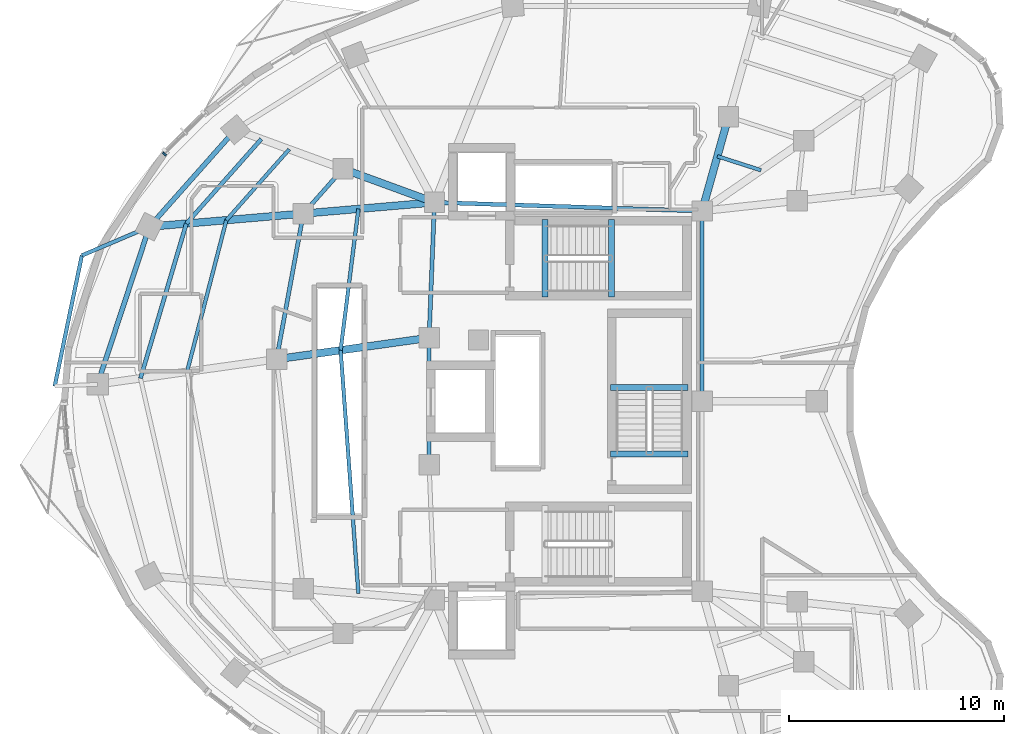
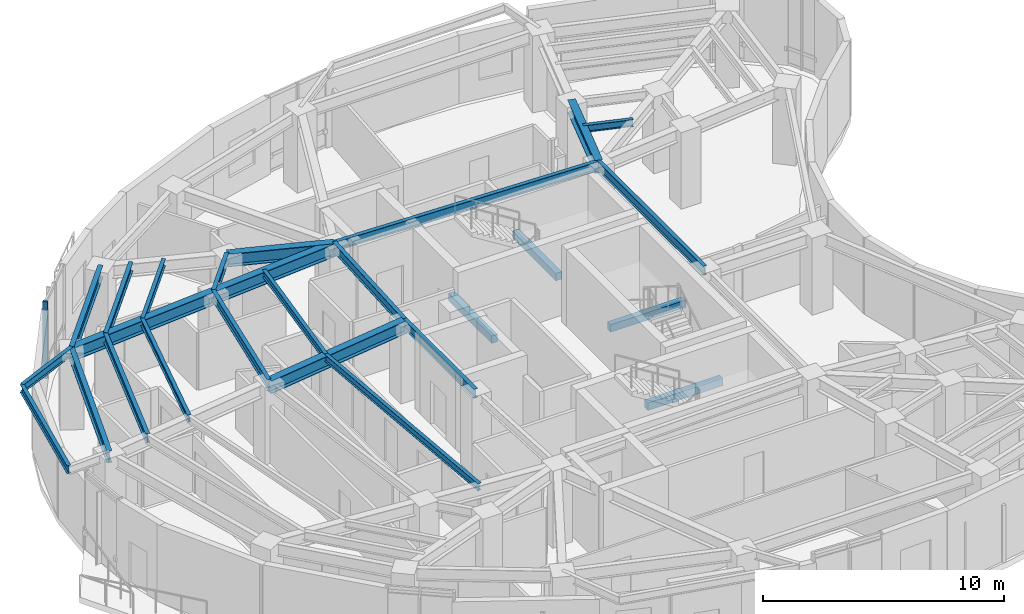
# One storey, part 3 of 13: 26 beams, 1 member, 1 element without a shape of its own.
"""IFC4 building model written with IfcOpenShell, lengths in metres."""

from ifc_helpers import new_model, si_unit, direction, frame, origin, origin_2d, place, context, subcontext, project, spatial, rectangle, i_section, extrude, material, layer, layer_set, material_profile, profile_set, type_object, element, aggregate, save


model = new_model("IFC4")

# Units and contexts
model_context = context("Model", 3, precision=1e-05, world=origin(), true_north=direction((0.0, 1.0)))
body_context = subcontext(model_context, "Body", "Model", "MODEL_VIEW")
ifc_project = project(units=[si_unit("LENGTHUNIT", "METRE"), si_unit("AREAUNIT", "SQUARE_METRE"), si_unit("VOLUMEUNIT", "CUBIC_METRE"), si_unit("PLANEANGLEUNIT", "RADIAN"), si_unit("MASSUNIT", "GRAM", prefix="KILO")], contexts=[model_context])

# Site, building, storey
site_placement = place(None, origin())
site = spatial("IfcSite", under=ifc_project, at=site_placement, CompositionType="ELEMENT")
building_placement = place(site_placement, origin())
building = spatial("IfcBuilding", under=site, at=building_placement, Name="Korentha Bioscience Tower", CompositionType="ELEMENT")
storey_placement = place(building_placement, frame((0.0, 0.0, 192.0)))
storey = spatial("IfcBuildingStorey", under=building, at=storey_placement, Name="L44", CompositionType="ELEMENT", Elevation=192.0)

# Beams
ifc_material_1 = material(Name="Concrete C50", Category="concrete")
ifc_material_profile_1 = material_profile(ifc_material_1, rectangle(XDim=0.280029296875, YDim=0.3798828125, at=origin_2d()), Name="Concrete C50")
ifc_profile_set_1 = profile_set([ifc_material_profile_1], Name="Concrete C50 (ST-HB380)")
beam_type_1 = type_object("IfcBeamType", Name="Concrete Stair Header Beam RC 280x380", PredefinedType="BEAM", material=ifc_profile_set_1)
for number, where, z_axis, x_axis, name in (
    (1, (30.25, 31.85009765625, -0.18994140625), (0.0, 1.0, 0.0), (-1.0, 0.0, 0.0), "L44 ST-1 Concrete Stair Header Beam"),
    (2, (33.330078125, 31.85009765625, 1.909912109375), (0.0, 1.0, 0.0), (-1.0, 0.0, 0.0), "L44 ST-1 Half-Landing Header Beam 1"),
    (3, (36.89990234375, 24.550048828125, -0.18994140625), (-1.0, 0.0, 0.0), (0.0, -1.0, 0.0), "L44 ST-3 Concrete Stair Header Beam"),
    (4, (36.89990234375, 27.6298828125, 1.909912109375), (-1.0, 0.0, 0.0), (0.0, -1.0, 0.0), "L44 ST-3 Half-Landing Header Beam 1"),
):
    element("IfcBeam", number, at=place(storey_placement, frame(where, z_axis=z_axis, x_axis=x_axis)), inside=storey, type_object=beam_type_1, Name=name, PredefinedType="BEAM", context=body_context, shape_type="SweptSolid", body=[
        extrude(rectangle(XDim=0.280029296875, YDim=0.3798828125, at=origin_2d()), origin(), (0.0, 0.0, 1.0), 3.599853515625),
    ])
ifc_material_2 = material(Name="Steel S355", Category="steel")
ifc_material_profile_2 = material_profile(ifc_material_2, i_section(OverallWidth=0.18994140625, OverallDepth=0.45703125, WebThickness=0.009033203125, FlangeThickness=0.014404296875, at=origin_2d()), Name="Steel S355")
ifc_profile_set_2 = profile_set([ifc_material_profile_2], Name="Steel S355 (MB-460)")
beam_type_2 = type_object("IfcBeamType", Name="Mid-Ring Tie Girder W460x74", PredefinedType="BEAM", material=ifc_profile_set_2)
beam_1_placement = place(storey_placement, frame((20.84228515625, 37.807861328125, 3.67138671875), z_axis=(-0.663512238321, -0.748165429299, 0.0), x_axis=(0.748165429299, -0.663512238321, 0.0)))
element("IfcBeam", 5, at=beam_1_placement, inside=storey, type_object=beam_type_2, Name="L44 Mid-Ring Tie Girder 05", PredefinedType="BEAM", context=body_context, shape_type="SweptSolid", body=[
    extrude(i_section(OverallWidth=0.18994140625, OverallDepth=0.45703125, WebThickness=0.009033203125, FlangeThickness=0.014404296875, at=origin_2d()), origin(), (0.0, 0.0, 1.0), 2.77734375),
])
beam_2_placement = place(storey_placement, frame((18.99951171875, 35.72998046875, 3.67138671875), z_axis=(-0.180880998363, -0.98350498953, 0.0), x_axis=(0.98350498953, -0.180880998363, 0.0)))
element("IfcBeam", 6, at=beam_2_placement, inside=storey, type_object=beam_type_2, Name="L44 Mid-Ring Tie Girder 06", PredefinedType="BEAM", context=body_context, shape_type="SweptSolid", body=[
    extrude(i_section(OverallWidth=0.18994140625, OverallDepth=0.45703125, WebThickness=0.009033203125, FlangeThickness=0.014404296875, at=origin_2d()), origin(), (0.0, 0.0, 1.0), 6.888916015625),
])
beam_3_placement = place(storey_placement, frame((37.550048828125, 35.85009765625, 3.67138671875), z_axis=(-0.999484526071, 0.032104238723, 0.0), x_axis=(-0.032104238723, -0.999484526071, 0.0)))
element("IfcBeam", 7, at=beam_3_placement, inside=storey, type_object=beam_type_2, Name="L44 Core Ring Tie Girder 01", PredefinedType="BEAM", context=body_context, shape_type="SweptSolid", body=[
    extrude(i_section(OverallWidth=0.18994140625, OverallDepth=0.45703125, WebThickness=0.009033203125, FlangeThickness=0.014404296875, at=origin_2d()), origin(), (0.0, 0.0, 1.0), 12.456298828125),
])
beam_4_placement = place(storey_placement, frame((25.10009765625, 36.25, 3.67138671875), z_axis=(-0.039651025576, -0.999213588864, 0.0), x_axis=(0.999213588864, -0.039651025576, 0.0)))
element("IfcBeam", 8, at=beam_4_placement, inside=storey, type_object=beam_type_2, Name="L44 Core Ring Tie Girder 02", PredefinedType="BEAM", context=body_context, shape_type="SweptSolid", body=[
    extrude(i_section(OverallWidth=0.18994140625, OverallDepth=0.45703125, WebThickness=0.009033203125, FlangeThickness=0.014404296875, at=origin_2d()), origin(), (0.0, 0.0, 1.0), 6.304931640625),
])
beam_5_placement = place(storey_placement, frame((24.85009765625, 29.949951171875, 3.67138671875), z_axis=(0.0, -1.0, 0.0), x_axis=(1.0, 0.0, 0.0)))
element("IfcBeam", 9, at=beam_5_placement, inside=storey, type_object=beam_type_2, Name="L44 Core Ring Tie Girder 03", PredefinedType="BEAM", context=body_context, shape_type="SweptSolid", body=[
    extrude(i_section(OverallWidth=0.18994140625, OverallDepth=0.45703125, WebThickness=0.009033203125, FlangeThickness=0.014404296875, at=origin_2d()), origin(), (0.0, 0.0, 1.0), 5.89990234375),
])
beam_6_placement = place(storey_placement, frame((37.550048828125, 27.0, 3.67138671875), z_axis=(0.0, 1.0, 0.0), x_axis=(-1.0, 0.0, 0.0)))
element("IfcBeam", 10, at=beam_6_placement, inside=storey, type_object=beam_type_2, Name="L44 Core Ring Tie Girder 07", PredefinedType="BEAM", context=body_context, shape_type="SweptSolid", body=[
    extrude(i_section(OverallWidth=0.18994140625, OverallDepth=0.45703125, WebThickness=0.009033203125, FlangeThickness=0.014404296875, at=origin_2d()), origin(), (0.0, 0.0, 1.0), 8.85009765625),
])

# Curtain wall, member
ifc_material_3 = material(Name="Thermally Broken Aluminium Frame", Category="aluminium")
ifc_layer = layer(ifc_material_3, 0.219970703125, Name="Thermally Broken Aluminium Frame")
ifc_layer_set = layer_set([ifc_layer], Name="Thermally Broken Aluminium Frame (CW-T2)")
curtain_wall_type = type_object("IfcCurtainWallType", Name="Solar-Screened Lab Unitised Curtain Wall CW-T2", PredefinedType="USERDEFINED", material=ifc_layer_set)
curtain_wall_placement = place(storey_placement, origin())
curtain_wall = element("IfcCurtainWall", 11, at=curtain_wall_placement, inside=storey, type_object=curtain_wall_type, Name="L44 Curtain Wall 13", ObjectType="UNITISED", PredefinedType="USERDEFINED")
ifc_material_4 = material(Name="Anodised Aluminium 6063-T6", Category="aluminium")
ifc_material_profile_3 = material_profile(ifc_material_4, rectangle(XDim=0.090087890625, YDim=0.199951171875, at=origin_2d()), Name="Anodised Aluminium 6063-T6")
ifc_profile_set_3 = profile_set([ifc_material_profile_3], Name="Anodised Aluminium 6063-T6 (CW-MUL)")
member_type = type_object("IfcMemberType", Name="Mullion RECT 90x200", PredefinedType="MULLION", material=ifc_profile_set_3)
member_placement = place(storey_placement, frame((12.53515625, 38.502685546875, 0.0), z_axis=(0.0, 0.0, 1.0), x_axis=(-0.711460557971, -0.702726030862, 0.0)))
member = element("IfcMember", 12, at=member_placement, type_object=member_type, Name="CW-L44-13 Mullion 3", PredefinedType="MULLION", context=body_context, shape_type="SweptSolid", body=[
    extrude(rectangle(XDim=0.090087890625, YDim=0.199951171875, at=origin_2d()), origin(), (0.0, 0.0, 1.0), 3.89990234375),
])
aggregate(curtain_wall, [member])

# Beams
ifc_material_profile_4 = material_profile(ifc_material_2, i_section(OverallWidth=0.22802734375, OverallDepth=0.60791015625, WebThickness=0.01123046875, FlangeThickness=0.017333984375, at=origin_2d()), Name="Steel S355")
ifc_profile_set_4 = profile_set([ifc_material_profile_4], Name="Steel S355 (SB-610)")
beam_type_3 = type_object("IfcBeamType", Name="Perimeter Ring Spandrel Girder W610x113", PredefinedType="SPANDREL", material=ifc_profile_set_4)
beam_7_placement = place(storey_placement, frame((15.843994140625, 39.63671875, 3.595947265625), z_axis=(-0.663502544942, -0.748174025782, 0.0), x_axis=(0.748174025782, -0.663502544942, 0.0)))
element("IfcBeam", 13, at=beam_7_placement, inside=storey, type_object=beam_type_3, Name="L44 Perimeter Spandrel Girder 05", PredefinedType="SPANDREL", context=body_context, shape_type="SweptSolid", body=[
    extrude(i_section(OverallWidth=0.22802734375, OverallDepth=0.60791015625, WebThickness=0.01123046875, FlangeThickness=0.017333984375, at=origin_2d()), origin(), (0.0, 0.0, 1.0), 6.037841796875),
])
beam_8_placement = place(storey_placement, frame((11.837890625, 35.119384765625, 3.595947265625), z_axis=(-0.312820215824, -0.949812356506, 0.0), x_axis=(0.949812356506, -0.312820215824, 0.0)))
element("IfcBeam", 14, at=beam_8_placement, inside=storey, type_object=beam_type_3, Name="L44 Perimeter Spandrel Girder 06", PredefinedType="SPANDREL", context=body_context, shape_type="SweptSolid", body=[
    extrude(i_section(OverallWidth=0.22802734375, OverallDepth=0.60791015625, WebThickness=0.01123046875, FlangeThickness=0.017333984375, at=origin_2d()), origin(), (0.0, 0.0, 1.0), 7.720947265625),
])
ifc_material_profile_5 = material_profile(ifc_material_2, i_section(OverallWidth=0.18994140625, OverallDepth=0.45703125, WebThickness=0.009033203125, FlangeThickness=0.014404296875, at=origin_2d()), Name="Steel S355")
ifc_profile_set_5 = profile_set([ifc_material_profile_5], Name="Steel S355 (RB-460)")
beam_type_4 = type_object("IfcBeamType", Name="Radial Laboratory Beam W460x74", PredefinedType="BEAM", material=ifc_profile_set_5)
beam_9_placement = place(storey_placement, frame((17.043701171875, 39.197998046875, 3.67138671875), z_axis=(-0.663495511182, -0.748180263467, 0.0), x_axis=(0.748180263467, -0.663495511182, 0.0)))
element("IfcBeam", 15, at=beam_9_placement, inside=storey, type_object=beam_type_4, Name="L44 Secondary Floor Beam JSTO-05", PredefinedType="BEAM", context=body_context, shape_type="SweptSolid", body=[
    extrude(i_section(OverallWidth=0.18994140625, OverallDepth=0.45703125, WebThickness=0.009033203125, FlangeThickness=0.014404296875, at=origin_2d()), origin(), (0.0, 0.0, 1.0), 5.255615234375),
])
beam_10_placement = place(storey_placement, frame((13.556640625, 35.265869140625, 3.67138671875), z_axis=(-0.284283148615, -0.958740367051, 0.0), x_axis=(0.958740367051, -0.284283148615, 0.0)))
element("IfcBeam", 16, at=beam_10_placement, inside=storey, type_object=beam_type_4, Name="L44 Secondary Floor Beam JSTO-06", PredefinedType="BEAM", context=body_context, shape_type="SweptSolid", body=[
    extrude(i_section(OverallWidth=0.18994140625, OverallDepth=0.45703125, WebThickness=0.009033203125, FlangeThickness=0.014404296875, at=origin_2d()), origin(), (0.0, 0.0, 1.0), 7.50927734375),
])
ifc_material_profile_6 = material_profile(ifc_material_2, i_section(OverallWidth=0.35009765625, OverallDepth=0.64990234375, WebThickness=0.01611328125, FlangeThickness=0.02490234375, at=origin_2d()), Name="Steel S355")
ifc_profile_set_6 = profile_set([ifc_material_profile_6], Name="Steel S355 (RB-650)")
beam_type_5 = type_object("IfcBeamType", Name="Radial Laboratory Girder CVS 650x208", PredefinedType="BEAM", material=ifc_profile_set_6)
beam_11_placement = place(storey_placement, frame((37.550048828125, 35.85009765625, 3.574951171875), z_axis=(0.269477001654, 0.963006825303, 0.0), x_axis=(-0.963006825303, 0.269477001654, 0.0)))
element("IfcBeam", 17, at=beam_11_placement, inside=storey, type_object=beam_type_5, Name="L44 Inner Radial Girder 02", PredefinedType="BEAM", context=body_context, shape_type="SweptSolid", body=[
    extrude(i_section(OverallWidth=0.35009765625, OverallDepth=0.64990234375, WebThickness=0.01611328125, FlangeThickness=0.02490234375, at=origin_2d()), origin(), (0.0, 0.0, 1.0), 4.559814453125),
])
beam_12_placement = place(storey_placement, frame((25.10009765625, 36.25, 3.574951171875), z_axis=(-0.939113952431, 0.343605856105, 0.0), x_axis=(-0.343605856105, -0.939113952431, 0.0)))
element("IfcBeam", 18, at=beam_12_placement, inside=storey, type_object=beam_type_5, Name="L44 Inner Radial Girder 05", PredefinedType="BEAM", context=body_context, shape_type="SweptSolid", body=[
    extrude(i_section(OverallWidth=0.35009765625, OverallDepth=0.64990234375, WebThickness=0.01611328125, FlangeThickness=0.02490234375, at=origin_2d()), origin(), (0.0, 0.0, 1.0), 4.533935546875),
])
beam_13_placement = place(storey_placement, frame((25.10009765625, 36.25, 3.574951171875), z_axis=(-0.996386672138, -0.084932912264, 0.0), x_axis=(0.084932912264, -0.996386672138, 0.0)))
element("IfcBeam", 19, at=beam_13_placement, inside=storey, type_object=beam_type_5, Name="L44 Inner Radial Girder 06", PredefinedType="BEAM", context=body_context, shape_type="SweptSolid", body=[
    extrude(i_section(OverallWidth=0.35009765625, OverallDepth=0.64990234375, WebThickness=0.01611328125, FlangeThickness=0.02490234375, at=origin_2d()), origin(), (0.0, 0.0, 1.0), 6.122802734375),
])
beam_14_placement = place(storey_placement, frame((18.99951171875, 35.72998046875, 3.574951171875), z_axis=(-0.996385111181, -0.084951222577, 0.0), x_axis=(0.084951222577, -0.996385111181, 0.0)))
element("IfcBeam", 20, at=beam_14_placement, inside=storey, type_object=beam_type_5, Name="L44 Outer Radial Girder 06", PredefinedType="BEAM", context=body_context, shape_type="SweptSolid", body=[
    extrude(i_section(OverallWidth=0.35009765625, OverallDepth=0.64990234375, WebThickness=0.01611328125, FlangeThickness=0.02490234375, at=origin_2d()), origin(), (0.0, 0.0, 1.0), 7.1875),
])
beam_15_placement = place(storey_placement, frame((24.85009765625, 29.949951171875, 3.574951171875), z_axis=(-0.990306724295, -0.138897774699, 0.0), x_axis=(0.138897774699, -0.990306724295, 0.0)))
element("IfcBeam", 21, at=beam_15_placement, inside=storey, type_object=beam_type_5, Name="L44 Inner Radial Girder 07", PredefinedType="BEAM", context=body_context, shape_type="SweptSolid", body=[
    extrude(i_section(OverallWidth=0.35009765625, OverallDepth=0.64990234375, WebThickness=0.01611328125, FlangeThickness=0.02490234375, at=origin_2d()), origin(), (0.0, 0.0, 1.0), 7.166259765625),
])
ifc_material_profile_7 = material_profile(ifc_material_2, i_section(OverallWidth=0.1708984375, OverallDepth=0.35498046875, WebThickness=0.007080078125, FlangeThickness=0.01171875, at=origin_2d()), Name="Steel S355")
ifc_profile_set_7 = profile_set([ifc_material_profile_7], Name="Steel S355 (JB-360)")
beam_type_6 = type_object("IfcBeamType", Name="Secondary Laboratory Joist W360x51", PredefinedType="JOIST", material=ifc_profile_set_7)
beam_16_placement = place(storey_placement, frame((40.290283203125, 37.7451171875, 3.722412109375), z_axis=(-0.952010669267, 0.306064838885, 0.0), x_axis=(-0.306064838885, -0.952010669267, 0.0)))
element("IfcBeam", 22, at=beam_16_placement, inside=storey, type_object=beam_type_6, Name="L44 Inner Bay Joist 01", PredefinedType="JOIST", context=body_context, shape_type="SweptSolid", body=[
    extrude(i_section(OverallWidth=0.1708984375, OverallDepth=0.35498046875, WebThickness=0.007080078125, FlangeThickness=0.01171875, at=origin_2d()), origin(), (0.0, 0.0, 1.0), 2.1298828125),
])
beam_17_placement = place(storey_placement, frame((18.343017578125, 38.722412109375, 3.722412109375), z_axis=(-0.663462598754, -0.748209449322, 0.0), x_axis=(0.748209449322, -0.663462598754, 0.0)))
element("IfcBeam", 23, at=beam_17_placement, inside=storey, type_object=beam_type_6, Name="L44 Secondary Floor Beam JST-05", PredefinedType="JOIST", context=body_context, shape_type="SweptSolid", body=[
    extrude(i_section(OverallWidth=0.1708984375, OverallDepth=0.35498046875, WebThickness=0.007080078125, FlangeThickness=0.01171875, at=origin_2d()), origin(), (0.0, 0.0, 1.0), 4.40771484375),
])
beam_18_placement = place(storey_placement, frame((15.418701171875, 35.424560546875, 3.722412109375), z_axis=(-0.251203958933, -0.967934177006, 0.0), x_axis=(0.967934177006, -0.251203958933, 0.0)))
element("IfcBeam", 24, at=beam_18_placement, inside=storey, type_object=beam_type_6, Name="L44 Secondary Floor Beam JST-06", PredefinedType="JOIST", context=body_context, shape_type="SweptSolid", body=[
    extrude(i_section(OverallWidth=0.1708984375, OverallDepth=0.35498046875, WebThickness=0.007080078125, FlangeThickness=0.01171875, at=origin_2d()), origin(), (0.0, 0.0, 1.0), 7.2880859375),
])
beam_19_placement = place(storey_placement, frame((21.561767578125, 35.9482421875, 3.722412109375), z_axis=(-0.124914239886, -0.992167542643, 0.0), x_axis=(0.992167542643, -0.124914239886, 0.0)))
element("IfcBeam", 25, at=beam_19_placement, inside=storey, type_object=beam_type_6, Name="L44 Inner Bay Joist 06", PredefinedType="JOIST", context=body_context, shape_type="SweptSolid", body=[
    extrude(i_section(OverallWidth=0.1708984375, OverallDepth=0.35498046875, WebThickness=0.007080078125, FlangeThickness=0.01171875, at=origin_2d()), origin(), (0.0, 0.0, 1.0), 6.627685546875),
])
beam_20_placement = place(storey_placement, frame((20.73388671875, 29.37255859375, 3.722412109375), z_axis=(0.072934416258, -0.997336738983, 0.0), x_axis=(0.997336738983, 0.072934416258, 0.0)))
element("IfcBeam", 26, at=beam_20_placement, inside=storey, type_object=beam_type_6, Name="L44 Inner Bay Joist 07", PredefinedType="JOIST", context=body_context, shape_type="SweptSolid", body=[
    extrude(i_section(OverallWidth=0.1708984375, OverallDepth=0.35498046875, WebThickness=0.007080078125, FlangeThickness=0.01171875, at=origin_2d()), origin(), (0.0, 0.0, 1.0), 11.35107421875),
])
ifc_material_profile_8 = material_profile(ifc_material_2, i_section(OverallWidth=0.177978515625, OverallDepth=0.406982421875, WebThickness=0.0078125, FlangeThickness=0.0126953125, at=origin_2d()), Name="Steel S355")
ifc_profile_set_8 = profile_set([ifc_material_profile_8], Name="Steel S355 (CB-410)")
beam_type_7 = type_object("IfcBeamType", Name="Sun-Ledge Cantilever Beam W410x60", PredefinedType="BEAM", material=ifc_profile_set_8)
beam_21_placement = place(storey_placement, frame((11.837890625, 35.119384765625, 3.698486328125), z_axis=(-0.920106971174, -0.391667156648, 0.0), x_axis=(0.391667156648, -0.920106971174, 0.0)))
element("IfcBeam", 27, at=beam_21_placement, inside=storey, type_object=beam_type_7, Name="L44 Balcony Cantilever Bracket A-L45-02", PredefinedType="BEAM", context=body_context, shape_type="SweptSolid", body=[
    extrude(i_section(OverallWidth=0.177978515625, OverallDepth=0.406982421875, WebThickness=0.0078125, FlangeThickness=0.0126953125, at=origin_2d()), origin(), (0.0, 0.0, 1.0), 3.41650390625),
])
beam_22_placement = place(storey_placement, frame((8.6943359375, 33.78125, 3.698486328125), z_axis=(-0.203313854561, -0.979113617791, 0.0), x_axis=(0.979113617791, -0.203313854561, 0.0)))
element("IfcBeam", 28, at=beam_22_placement, inside=storey, type_object=beam_type_7, Name="L44 Balcony Edge Trimmer Beam L45-02", PredefinedType="BEAM", context=body_context, shape_type="SweptSolid", body=[
    extrude(i_section(OverallWidth=0.177978515625, OverallDepth=0.406982421875, WebThickness=0.0078125, FlangeThickness=0.0126953125, at=origin_2d()), origin(), (0.0, 0.0, 1.0), 6.211669921875),
])

save(model, "model.ifc")
